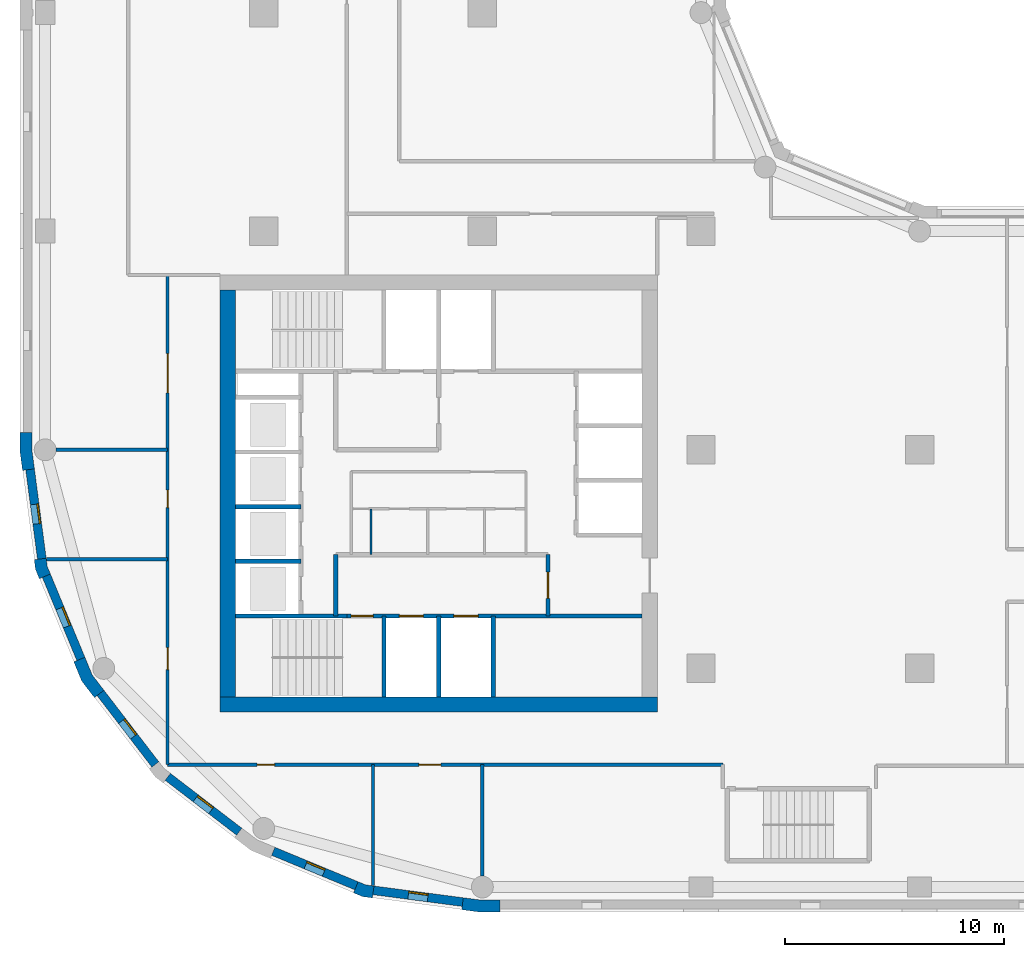
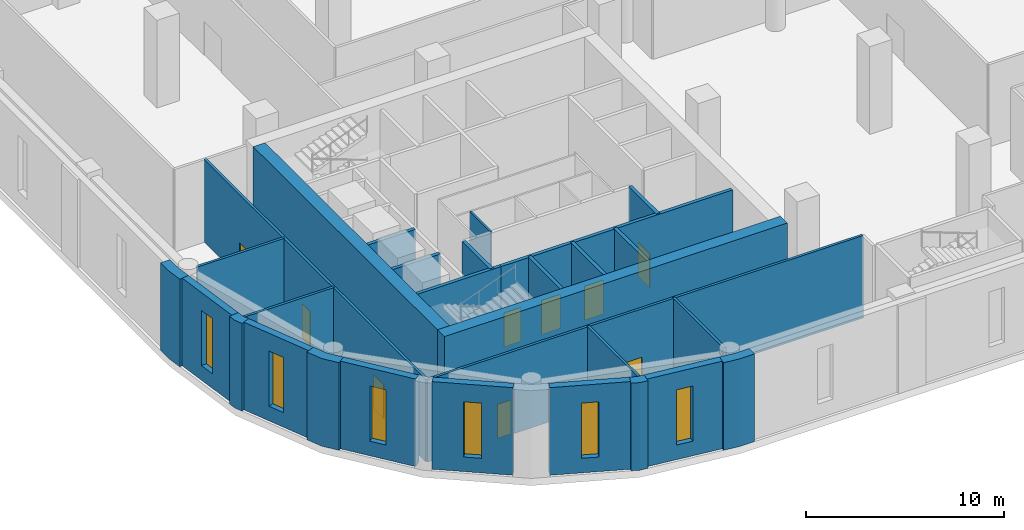
# One storey, part 2 of 9: 29 walls, 9 doors, 6 windows, 15 openings.
"""IFC4 building model written with IfcOpenShell, lengths in metres."""

from ifc_helpers import new_model, si_unit, direction, frame, frame_2d, origin, place, context, subcontext, project, spatial, polyline, rectangle, outline, extrude, material, layer, layer_set, type_object, element, fill, save


model = new_model("IFC4")

# Units and contexts
model_context = context("Model", 3, precision=1e-05, world=origin(), true_north=direction((0.0, 1.0)))
body_context = subcontext(model_context, "Body", "Model", "MODEL_VIEW")
ifc_project = project(units=[si_unit("LENGTHUNIT", "METRE"), si_unit("AREAUNIT", "SQUARE_METRE"), si_unit("VOLUMEUNIT", "CUBIC_METRE"), si_unit("PLANEANGLEUNIT", "RADIAN"), si_unit("MASSUNIT", "GRAM", prefix="KILO")], contexts=[model_context])

# Site, building, storey
site_placement = place(None, origin())
site = spatial("IfcSite", under=ifc_project, at=site_placement, CompositionType="ELEMENT")
building_placement = place(site_placement, origin())
building = spatial("IfcBuilding", under=site, at=building_placement, Name="Qaws Garden Tower", CompositionType="ELEMENT")
storey_placement = place(building_placement, frame((0.0, 0.0, 126.300048828125)))
storey = spatial("IfcBuildingStorey", under=building, at=storey_placement, Name="L30", CompositionType="ELEMENT", Elevation=126.300048828125)

# Wall, opening, window
ifc_material_1 = material(Name="Clay facing brick masonry", Category="masonry")
ifc_layer_1 = layer(ifc_material_1, 0.39990234375)
ifc_layer_set_1 = layer_set([ifc_layer_1], Name="Clay facing brick masonry")
wall_type_1 = type_object("IfcWallType", Name="Brick infill wall 400", PredefinedType="SOLIDWALL", material=ifc_layer_set_1)
wall_1_placement = place(storey_placement, frame((-0.688720703125, 19.102294921875, 0.0), z_axis=(0.0, 0.0, 1.0), x_axis=(0.130514280502, -0.991446429508, 0.0)))
wall_1 = element("IfcWall", 1, at=wall_1_placement, inside=storey, type_object=wall_type_1, Name="E-L30-infill-25", PredefinedType="SOLIDWALL", context=body_context, shape_type="SweptSolid", body=[
    extrude(rectangle(XDim=4.120849609375, YDim=0.39990234375, at=frame_2d((2.060546875, 0.0))), origin(), (0.0, 0.0, 1.0), 5.39990234375),
])
opening_1_placement = place(wall_1_placement, frame((1.610595703125, 0.0, 0.89990234375)))
opening_1 = element("IfcOpeningElement", 2, at=opening_1_placement, cuts=wall_1, Name="Opening W10", PredefinedType="OPENING", context=body_context, shape_type="SweptSolid", body=[
    extrude(rectangle(XDim=0.89990234375, YDim=3.39990234375, at=frame_2d((0.449951171875, 1.699951171875))), frame((0.0, 0.2099609375, 0.0), z_axis=(0.0, -1.0, 0.0), x_axis=(1.0, 0.0, 0.0)), (0.0, 0.0, 1.0), 0.419921875),
])
ifc_material_2 = material(Name="Aluminium framed window, clear glazing", Category="aluminium")
window_type = type_object("IfcWindowType", Name="Slit window 900 x 3400", PartitioningType="SINGLE_PANEL", PredefinedType="WINDOW", material=ifc_material_2)
window_1_placement = place(opening_1_placement, origin())
window_1 = element("IfcWindow", 3, at=window_1_placement, inside=storey, type_object=window_type, Name="E-L30-window-25-0", OverallHeight=3.39990234375, OverallWidth=0.89990234375, PartitioningType="SINGLE_PANEL", PredefinedType="WINDOW", context=body_context, shape_type="SweptSolid", body=[
    extrude(rectangle(XDim=0.89990234375, YDim=3.39990234375, at=frame_2d((0.449951171875, 1.699951171875))), frame((0.0, 0.159912109375, 0.0), z_axis=(0.0, -1.0, 0.0), x_axis=(1.0, 0.0, 0.0)), (0.0, 0.0, 1.0), 0.06005859375),
])
fill(opening_1, window_1)

wall_2_placement = place(storey_placement, frame((0.05712890625, 14.240234375, 0.0), z_axis=(0.0, 0.0, 1.0), x_axis=(0.382721546029, -0.923863744394, 0.0)))
wall_2 = element("IfcWall", 4, at=wall_2_placement, inside=storey, type_object=wall_type_1, Name="E-L30-infill-26", PredefinedType="SOLIDWALL", context=body_context, shape_type="SweptSolid", body=[
    extrude(rectangle(XDim=4.120849609375, YDim=0.39990234375, at=frame_2d((2.060546875, 0.0))), origin(), (0.0, 0.0, 1.0), 5.39990234375),
])
opening_2_placement = place(wall_2_placement, frame((1.610595703125, 0.0, 0.89990234375)))
opening_2 = element("IfcOpeningElement", 5, at=opening_2_placement, cuts=wall_2, Name="Opening W10", PredefinedType="OPENING", context=body_context, shape_type="SweptSolid", body=[
    extrude(rectangle(XDim=0.89990234375, YDim=3.39990234375, at=frame_2d((0.449951171875, 1.699951171875))), frame((0.0, 0.2099609375, 0.0), z_axis=(0.0, -1.0, 0.0), x_axis=(1.0, 0.0, 0.0)), (0.0, 0.0, 1.0), 0.419921875),
])
window_2_placement = place(opening_2_placement, origin())
window_2 = element("IfcWindow", 6, at=window_2_placement, inside=storey, type_object=window_type, Name="E-L30-window-26-0", OverallHeight=3.39990234375, OverallWidth=0.89990234375, PartitioningType="SINGLE_PANEL", PredefinedType="WINDOW", context=body_context, shape_type="SweptSolid", body=[
    extrude(rectangle(XDim=0.89990234375, YDim=3.39990234375, at=frame_2d((0.449951171875, 1.699951171875))), frame((0.0, 0.159912109375, 0.0), z_axis=(0.0, -1.0, 0.0), x_axis=(1.0, 0.0, 0.0)), (0.0, 0.0, 1.0), 0.06005859375),
])
fill(opening_2, window_2)

wall_3_placement = place(storey_placement, frame((2.53173828125, 8.87841796875, 0.0), z_axis=(0.0, 0.0, 1.0), x_axis=(0.608759824817, -0.793354571229, 0.0)))
wall_3 = element("IfcWall", 7, at=wall_3_placement, inside=storey, type_object=wall_type_1, Name="E-L30-infill-27", PredefinedType="SOLIDWALL", context=body_context, shape_type="SweptSolid", body=[
    extrude(rectangle(XDim=4.12109375, YDim=0.39990234375, at=frame_2d((2.060546875, 0.0))), origin(), (0.0, 0.0, 1.0), 5.39990234375),
])
opening_3_placement = place(wall_3_placement, frame((1.610595703125, 0.0, 0.89990234375)))
opening_3 = element("IfcOpeningElement", 8, at=opening_3_placement, cuts=wall_3, Name="Opening W10", PredefinedType="OPENING", context=body_context, shape_type="SweptSolid", body=[
    extrude(rectangle(XDim=0.89990234375, YDim=3.39990234375, at=frame_2d((0.449951171875, 1.699951171875))), frame((0.0, 0.2099609375, 0.0), z_axis=(0.0, -1.0, 0.0), x_axis=(1.0, 0.0, 0.0)), (0.0, 0.0, 1.0), 0.419921875),
])
window_3_placement = place(opening_3_placement, origin())
window_3 = element("IfcWindow", 9, at=window_3_placement, inside=storey, type_object=window_type, Name="E-L30-window-27-0", OverallHeight=3.39990234375, OverallWidth=0.89990234375, PartitioningType="SINGLE_PANEL", PredefinedType="WINDOW", context=body_context, shape_type="SweptSolid", body=[
    extrude(rectangle(XDim=0.89990234375, YDim=3.39990234375, at=frame_2d((0.449951171875, 1.699951171875))), frame((0.0, 0.159912109375, 0.0), z_axis=(0.0, -1.0, 0.0), x_axis=(1.0, 0.0, 0.0)), (0.0, 0.0, 1.0), 0.06005859375),
])
fill(opening_3, window_3)

wall_4_placement = place(storey_placement, frame((5.60888671875, 5.04052734375, 0.0), z_axis=(0.0, 0.0, 1.0), x_axis=(0.793354571229, -0.608759824817, 0.0)))
wall_4 = element("IfcWall", 10, at=wall_4_placement, inside=storey, type_object=wall_type_1, Name="E-L30-infill-28", PredefinedType="SOLIDWALL", context=body_context, shape_type="SweptSolid", body=[
    extrude(rectangle(XDim=4.12109375, YDim=0.39990234375, at=frame_2d((2.060546875, 0.0))), origin(), (0.0, 0.0, 1.0), 5.39990234375),
])
opening_4_placement = place(wall_4_placement, frame((1.610595703125, 0.0, 0.89990234375)))
opening_4 = element("IfcOpeningElement", 11, at=opening_4_placement, cuts=wall_4, Name="Opening W10", PredefinedType="OPENING", context=body_context, shape_type="SweptSolid", body=[
    extrude(rectangle(XDim=0.89990234375, YDim=3.39990234375, at=frame_2d((0.449951171875, 1.699951171875))), frame((0.0, 0.2099609375, 0.0), z_axis=(0.0, -1.0, 0.0), x_axis=(1.0, 0.0, 0.0)), (0.0, 0.0, 1.0), 0.419921875),
])
window_4_placement = place(opening_4_placement, origin())
window_4 = element("IfcWindow", 12, at=window_4_placement, inside=storey, type_object=window_type, Name="E-L30-window-28-0", OverallHeight=3.39990234375, OverallWidth=0.89990234375, PartitioningType="SINGLE_PANEL", PredefinedType="WINDOW", context=body_context, shape_type="SweptSolid", body=[
    extrude(rectangle(XDim=0.89990234375, YDim=3.39990234375, at=frame_2d((0.449951171875, 1.699951171875))), frame((0.0, 0.159912109375, 0.0), z_axis=(0.0, -1.0, 0.0), x_axis=(1.0, 0.0, 0.0)), (0.0, 0.0, 1.0), 0.06005859375),
])
fill(opening_4, window_4)

wall_5_placement = place(storey_placement, frame((10.43310546875, 1.63427734375, 0.0), z_axis=(0.0, 0.0, 1.0), x_axis=(0.923863744394, -0.382721546029, 0.0)))
wall_5 = element("IfcWall", 13, at=wall_5_placement, inside=storey, type_object=wall_type_1, Name="E-L30-infill-29", PredefinedType="SOLIDWALL", context=body_context, shape_type="SweptSolid", body=[
    extrude(rectangle(XDim=4.120849609375, YDim=0.39990234375, at=frame_2d((2.060546875, 0.0))), origin(), (0.0, 0.0, 1.0), 5.39990234375),
])
opening_5_placement = place(wall_5_placement, frame((1.610595703125, 0.0, 0.89990234375)))
opening_5 = element("IfcOpeningElement", 14, at=opening_5_placement, cuts=wall_5, Name="Opening W10", PredefinedType="OPENING", context=body_context, shape_type="SweptSolid", body=[
    extrude(rectangle(XDim=0.89990234375, YDim=3.39990234375, at=frame_2d((0.449951171875, 1.699951171875))), frame((0.0, 0.2099609375, 0.0), z_axis=(0.0, -1.0, 0.0), x_axis=(1.0, 0.0, 0.0)), (0.0, 0.0, 1.0), 0.419921875),
])
window_5_placement = place(opening_5_placement, origin())
window_5 = element("IfcWindow", 15, at=window_5_placement, inside=storey, type_object=window_type, Name="E-L30-window-29-0", OverallHeight=3.39990234375, OverallWidth=0.89990234375, PartitioningType="SINGLE_PANEL", PredefinedType="WINDOW", context=body_context, shape_type="SweptSolid", body=[
    extrude(rectangle(XDim=0.89990234375, YDim=3.39990234375, at=frame_2d((0.449951171875, 1.699951171875))), frame((0.0, 0.159912109375, 0.0), z_axis=(0.0, -1.0, 0.0), x_axis=(1.0, 0.0, 0.0)), (0.0, 0.0, 1.0), 0.06005859375),
])
fill(opening_5, window_5)

wall_6_placement = place(storey_placement, frame((15.0166015625, -0.15087890625, 0.0), z_axis=(0.0, 0.0, 1.0), x_axis=(0.991446429508, -0.130514280502, 0.0)))
wall_6 = element("IfcWall", 16, at=wall_6_placement, inside=storey, type_object=wall_type_1, Name="E-L30-infill-30", PredefinedType="SOLIDWALL", context=body_context, shape_type="SweptSolid", body=[
    extrude(rectangle(XDim=4.120849609375, YDim=0.39990234375, at=frame_2d((2.060546875, 0.0))), origin(), (0.0, 0.0, 1.0), 5.39990234375),
])
opening_6_placement = place(wall_6_placement, frame((1.610595703125, 0.0, 0.89990234375)))
opening_6 = element("IfcOpeningElement", 17, at=opening_6_placement, cuts=wall_6, Name="Opening W10", PredefinedType="OPENING", context=body_context, shape_type="SweptSolid", body=[
    extrude(rectangle(XDim=0.89990234375, YDim=3.39990234375, at=frame_2d((0.449951171875, 1.699951171875))), frame((0.0, 0.2099609375, 0.0), z_axis=(0.0, -1.0, 0.0), x_axis=(1.0, 0.0, 0.0)), (0.0, 0.0, 1.0), 0.419921875),
])
window_6_placement = place(opening_6_placement, origin())
window_6 = element("IfcWindow", 18, at=window_6_placement, inside=storey, type_object=window_type, Name="E-L30-window-30-0", OverallHeight=3.39990234375, OverallWidth=0.89990234375, PartitioningType="SINGLE_PANEL", PredefinedType="WINDOW", context=body_context, shape_type="SweptSolid", body=[
    extrude(rectangle(XDim=0.89990234375, YDim=3.39990234375, at=frame_2d((0.449951171875, 1.699951171875))), frame((0.0, 0.159912109375, 0.0), z_axis=(0.0, -1.0, 0.0), x_axis=(1.0, 0.0, 0.0)), (0.0, 0.0, 1.0), 0.06005859375),
])
fill(opening_6, window_6)

# Walls
ifc_material_3 = material(Name="Clay facing brick masonry", Category="masonry")
ifc_layer_2 = layer(ifc_material_3, 0.550048828125)
ifc_layer_set_2 = layer_set([ifc_layer_2], Name="Clay facing brick masonry")
wall_type_2 = type_object("IfcWallType", Name="Brick kink pier 550 x 600", PredefinedType="SOLIDWALL", material=ifc_layer_set_2)
placement = place(storey_placement, origin())
element("IfcWall", 19, at=placement, inside=storey, type_object=wall_type_2, Name="E-L30-pier-26", PredefinedType="SOLIDWALL", context=body_context, shape_type="SweptSolid", body=[
    extrude(outline(polyline([(-0.34912109375, 14.990478515625), (-0.497802734375, 14.970947265625), (-0.43896484375, 14.5234375), (-0.26611328125, 14.1064453125), (-0.127685546875, 14.163818359375), (0.241943359375, 14.31689453125), (0.096923828125, 14.6669921875), (0.04736328125, 15.042724609375), (-0.34912109375, 14.990478515625)])), origin(), (0.0, 0.0, 1.0), 5.39990234375),
])
element("IfcWall", 20, at=placement, inside=storey, type_object=wall_type_2, Name="E-L30-pier-30", PredefinedType="SOLIDWALL", context=body_context, shape_type="SweptSolid", body=[
    extrude(outline(polyline([(14.163818359375, -0.127685546875), (14.1064453125, -0.26611328125), (14.5234375, -0.43896484375), (14.970947265625, -0.497802734375), (14.990478515625, -0.34912109375), (15.042724609375, 0.04736328125), (14.6669921875, 0.096923828125), (14.31689453125, 0.241943359375), (14.163818359375, -0.127685546875)])), origin(), (0.0, 0.0, 1.0), 5.39990234375),
])
ifc_material_4 = material(Name="Clay facing brick masonry", Category="masonry")
ifc_layer_3 = layer(ifc_material_4, 0.550048828125)
ifc_layer_set_3 = layer_set([ifc_layer_3], Name="Clay facing brick masonry")
wall_type_3 = type_object("IfcWallType", Name="Brick pier 550 x 1600", PredefinedType="SOLIDWALL", material=ifc_layer_set_3)
element("IfcWall", 21, at=placement, inside=storey, type_object=wall_type_3, Name="E-L30-pier-00", PredefinedType="SOLIDWALL", context=body_context, shape_type="SweptSolid", body=[
    extrude(outline(polyline([(19.076416015625, -0.886962890625), (19.056640625, -1.03564453125), (19.924560546875, -1.14990234375), (20.800048828125, -1.14990234375), (20.800048828125, -1.0), (20.800048828125, -0.60009765625), (19.960693359375, -0.60009765625), (19.12841796875, -0.490478515625), (19.076416015625, -0.886962890625)])), origin(), (0.0, 0.0, 1.0), 5.39990234375),
])
element("IfcWall", 22, at=placement, inside=storey, type_object=wall_type_3, Name="E-L30-pier-25", PredefinedType="SOLIDWALL", context=body_context, shape_type="SweptSolid", body=[
    extrude(outline(polyline([(-1.0, 20.800048828125), (-1.14990234375, 20.800048828125), (-1.14990234375, 19.924560546875), (-1.03564453125, 19.056640625), (-0.886962890625, 19.076416015625), (-0.490478515625, 19.12841796875), (-0.60009765625, 19.960693359375), (-0.60009765625, 20.800048828125), (-1.0, 20.800048828125)])), origin(), (0.0, 0.0, 1.0), 5.39990234375),
])
element("IfcWall", 23, at=placement, inside=storey, type_object=wall_type_3, Name="E-L30-pier-27", PredefinedType="SOLIDWALL", context=body_context, shape_type="SweptSolid", body=[
    extrude(outline(polyline([(1.449462890625, 10.3564453125), (1.310791015625, 10.299072265625), (1.675048828125, 9.419921875), (2.254150390625, 8.665283203125), (2.373046875, 8.756591796875), (2.6904296875, 9.0), (2.1552734375, 9.697509765625), (1.819091796875, 10.509521484375), (1.449462890625, 10.3564453125)])), origin(), (0.0, 0.0, 1.0), 5.39990234375),
])
ifc_material_5 = material(Name="Plasterboard")
ifc_layer_4 = layer(ifc_material_5, 0.10009765625)
ifc_layer_set_4 = layer_set([ifc_layer_4], Name="Plasterboard")
wall_type_4 = type_object("IfcWallType", Name="Core partition 100", PredefinedType="PARTITIONING", material=ifc_layer_set_4)
wall_12_placement = place(storey_placement, frame((14.89990234375, 15.199951171875, 0.0), z_axis=(0.0, 0.0, 1.0), x_axis=(0.0, 1.0, 0.0)))
element("IfcWall", 24, at=wall_12_placement, inside=storey, type_object=wall_type_4, Name="Core partition", PredefinedType="PARTITIONING", context=body_context, shape_type="SweptSolid", body=[
    extrude(rectangle(XDim=2.10009765625, YDim=0.10009765625, at=frame_2d((1.050048828125, 0.0))), origin(), (0.0, 0.0, 1.0), 5.079833984375),
])
ifc_material_6 = material(Name="Concrete C70", Category="concrete")
ifc_layer_5 = layer(ifc_material_6, 0.199951171875)
ifc_layer_set_5 = layer_set([ifc_layer_5], Name="Concrete C70")
wall_type_5 = type_object("IfcWallType", Name="Core shaft wall 200 C70", PredefinedType="SHEAR", material=ifc_layer_set_5)
wall_13_placement = place(storey_placement, frame((8.699951171875, 12.39990234375, 0.0), z_axis=(0.0, 0.0, 1.0), x_axis=(1.0, 0.0, 0.0)))
element("IfcWall", 25, at=wall_13_placement, inside=storey, type_object=wall_type_5, Name="Shaft wall", PredefinedType="SHEAR", context=body_context, shape_type="SweptSolid", body=[
    extrude(rectangle(XDim=5.10009765625, YDim=0.199951171875, at=frame_2d((2.550048828125, 0.0))), origin(), (0.0, 0.0, 1.0), 5.079833984375),
])

# Wall, openings, doors
wall_14_placement = place(storey_placement, frame((13.800048828125, 12.39990234375, 0.0), z_axis=(0.0, 0.0, 1.0), x_axis=(1.0, 0.0, 0.0)))
wall_14 = element("IfcWall", 26, at=wall_14_placement, inside=storey, type_object=wall_type_5, Name="Shaft wall", PredefinedType="SHEAR", context=body_context, shape_type="SweptSolid", body=[
    extrude(rectangle(XDim=13.5, YDim=0.199951171875, at=frame_2d((6.75, 0.0))), origin(), (0.0, 0.0, 1.0), 5.079833984375),
])
opening_7_placement = place(wall_14_placement, frame((2.39990234375, 0.0, 0.0)))
opening_7 = element("IfcOpeningElement", 27, at=opening_7_placement, cuts=wall_14, Name="Opening LD08", PredefinedType="OPENING", context=body_context, shape_type="SweptSolid", body=[
    extrude(rectangle(XDim=1.10009765625, YDim=2.10009765625, at=frame_2d((0.550048828125, 1.050048828125))), frame((0.0, 0.10986328125, 0.0), z_axis=(0.0, -1.0, 0.0), x_axis=(1.0, 0.0, 0.0)), (0.0, 0.0, 1.0), 0.219970703125),
])
opening_8_placement = place(wall_14_placement, frame((4.89990234375, 0.0, 0.0)))
opening_8 = element("IfcOpeningElement", 28, at=opening_8_placement, cuts=wall_14, Name="Opening LD09", PredefinedType="OPENING", context=body_context, shape_type="SweptSolid", body=[
    extrude(rectangle(XDim=1.10009765625, YDim=2.10009765625, at=frame_2d((0.550048828125, 1.050048828125))), frame((0.0, 0.10986328125, 0.0), z_axis=(0.0, -1.0, 0.0), x_axis=(1.0, 0.0, 0.0)), (0.0, 0.0, 1.0), 0.219970703125),
])
opening_9_placement = place(wall_14_placement, frame((0.199951171875, 0.0, 0.0)))
opening_9 = element("IfcOpeningElement", 29, at=opening_9_placement, cuts=wall_14, Name="Opening SD12", PredefinedType="OPENING", context=body_context, shape_type="SweptSolid", body=[
    extrude(rectangle(XDim=1.0, YDim=2.10009765625, at=frame_2d((0.5, 1.050048828125))), frame((0.0, 0.10986328125, 0.0), z_axis=(0.0, -1.0, 0.0), x_axis=(1.0, 0.0, 0.0)), (0.0, 0.0, 1.0), 0.219970703125),
])
ifc_material_7 = material(Name="Steel S235", Category="steel")
door_type_1 = type_object("IfcDoorType", Name="Landing door 1100x2100", OperationType="DOUBLE_DOOR_SLIDING", PredefinedType="DOOR", material=ifc_material_7)
door_1_placement = place(opening_7_placement, origin())
door_1 = element("IfcDoor", 30, at=door_1_placement, inside=storey, type_object=door_type_1, Name="Lift FF1 landing door", OperationType="DOUBLE_DOOR_SLIDING", OverallHeight=2.10009765625, OverallWidth=1.10009765625, PredefinedType="DOOR", context=body_context, shape_type="SweptSolid", body=[
    extrude(rectangle(XDim=1.10009765625, YDim=2.10009765625, at=frame_2d((0.550048828125, 1.050048828125))), frame((0.0, 0.02490234375, 0.0), z_axis=(0.0, -1.0, 0.0), x_axis=(1.0, 0.0, 0.0)), (0.0, 0.0, 1.0), 0.050048828125),
])
fill(opening_7, door_1)
door_2_placement = place(opening_8_placement, origin())
door_2 = element("IfcDoor", 31, at=door_2_placement, inside=storey, type_object=door_type_1, Name="Lift FF2 landing door", OperationType="DOUBLE_DOOR_SLIDING", OverallHeight=2.10009765625, OverallWidth=1.10009765625, PredefinedType="DOOR", context=body_context, shape_type="SweptSolid", body=[
    extrude(rectangle(XDim=1.10009765625, YDim=2.10009765625, at=frame_2d((0.550048828125, 1.050048828125))), frame((0.0, 0.02490234375, 0.0), z_axis=(0.0, -1.0, 0.0), x_axis=(1.0, 0.0, 0.0)), (0.0, 0.0, 1.0), 0.050048828125),
])
fill(opening_8, door_2)
ifc_material_8 = material(Name="Steel S235", Category="steel")
door_type_2 = type_object("IfcDoorType", Name="Stair door 1000x2100", OperationType="SINGLE_SWING_RIGHT", PredefinedType="DOOR", material=ifc_material_8)
door_3_placement = place(opening_9_placement, frame((1.0, 0.0, 0.0), z_axis=(0.0, 0.0, 1.0), x_axis=(-1.0, 0.0, 0.0)))
door_3 = element("IfcDoor", 32, at=door_3_placement, inside=storey, type_object=door_type_2, Name="Stair 1 door", OperationType="SINGLE_SWING_LEFT", OverallHeight=2.10009765625, OverallWidth=1.0, PredefinedType="DOOR", context=body_context, shape_type="SweptSolid", body=[
    extrude(rectangle(XDim=1.0, YDim=2.10009765625, at=frame_2d((0.5, 1.050048828125))), frame((0.0, 0.02490234375, 0.0), z_axis=(0.0, -1.0, 0.0), x_axis=(1.0, 0.0, 0.0)), (0.0, 0.0, 1.0), 0.050048828125),
])
fill(opening_9, door_3)

# Walls
for number, where, z_axis, x_axis, name in (
    (33, (8.699951171875, 14.89990234375, 0.0), (0.0, 0.0, 1.0), (1.0, 0.0, 0.0), "Shaft wall"),
    (34, (8.699951171875, 17.39990234375, 0.0), (0.0, 0.0, 1.0), (1.0, 0.0, 0.0), "Shaft wall"),
):
    element("IfcWall", number, at=place(storey_placement, frame(where, z_axis=z_axis, x_axis=x_axis)), inside=storey, type_object=wall_type_5, Name=name, PredefinedType="SHEAR", context=body_context, shape_type="SweptSolid", body=[
        extrude(rectangle(XDim=3.0, YDim=0.199951171875, at=frame_2d((1.5, 0.0))), origin(), (0.0, 0.0, 1.0), 5.079833984375),
    ])
wall_15_placement = place(storey_placement, frame((13.300048828125, 12.39990234375, 0.0), z_axis=(0.0, 0.0, 1.0), x_axis=(0.0, 1.0, 0.0)))
element("IfcWall", 35, at=wall_15_placement, inside=storey, type_object=wall_type_5, Name="Shaft wall", PredefinedType="SHEAR", context=body_context, shape_type="SweptSolid", body=[
    extrude(rectangle(XDim=2.800048828125, YDim=0.199951171875, at=frame_2d((1.39990234375, 0.0))), origin(), (0.0, 0.0, 1.0), 5.079833984375),
])
for number, where, z_axis, x_axis, name in (
    (36, (15.5, 8.699951171875, 0.0), (0.0, 0.0, 1.0), (0.0, 1.0, 0.0), "Shaft wall"),
    (37, (18.0, 8.699951171875, 0.0), (0.0, 0.0, 1.0), (0.0, 1.0, 0.0), "Shaft wall"),
    (38, (20.5, 8.699951171875, 0.0), (0.0, 0.0, 1.0), (0.0, 1.0, 0.0), "Shaft wall"),
):
    element("IfcWall", number, at=place(storey_placement, frame(where, z_axis=z_axis, x_axis=x_axis)), inside=storey, type_object=wall_type_5, Name=name, PredefinedType="SHEAR", context=body_context, shape_type="SweptSolid", body=[
        extrude(rectangle(XDim=3.699951171875, YDim=0.199951171875, at=frame_2d((1.85009765625, 0.0))), origin(), (0.0, 0.0, 1.0), 5.079833984375),
    ])

# Wall, opening, door
wall_16_placement = place(storey_placement, frame((23.0, 12.39990234375, 0.0), z_axis=(0.0, 0.0, 1.0), x_axis=(0.0, 1.0, 0.0)))
wall_16 = element("IfcWall", 39, at=wall_16_placement, inside=storey, type_object=wall_type_5, Name="Shaft wall", PredefinedType="SHEAR", context=body_context, shape_type="SweptSolid", body=[
    extrude(rectangle(XDim=2.800048828125, YDim=0.199951171875, at=frame_2d((1.39990234375, 0.0))), origin(), (0.0, 0.0, 1.0), 5.079833984375),
])
opening_10_placement = place(wall_16_placement, frame((0.800048828125, 0.0, 0.0)))
opening_10 = element("IfcOpeningElement", 40, at=opening_10_placement, cuts=wall_16, Name="Opening FD17", PredefinedType="OPENING", context=body_context, shape_type="SweptSolid", body=[
    extrude(rectangle(XDim=1.199951171875, YDim=2.10009765625, at=frame_2d((0.60009765625, 1.050048828125))), frame((0.0, 0.10986328125, 0.0), z_axis=(0.0, -1.0, 0.0), x_axis=(1.0, 0.0, 0.0)), (0.0, 0.0, 1.0), 0.219970703125),
])
ifc_material_9 = material(Name="Steel S235", Category="steel")
door_type_3 = type_object("IfcDoorType", Name="Lobby door 1200x2100", OperationType="DOUBLE_DOOR_SINGLE_SWING", PredefinedType="DOOR", material=ifc_material_9)
door_4_placement = place(opening_10_placement, origin())
door_4 = element("IfcDoor", 41, at=door_4_placement, inside=storey, type_object=door_type_3, Name="Fire-fighting lobby door", OperationType="DOUBLE_DOOR_SINGLE_SWING", OverallHeight=2.10009765625, OverallWidth=1.199951171875, PredefinedType="DOOR", context=body_context, shape_type="SweptSolid", body=[
    extrude(rectangle(XDim=1.199951171875, YDim=2.10009765625, at=frame_2d((0.60009765625, 1.050048828125))), frame((0.0, 0.02490234375, 0.0), z_axis=(0.0, -1.0, 0.0), x_axis=(1.0, 0.0, 0.0)), (0.0, 0.0, 1.0), 0.050048828125),
])
fill(opening_10, door_4)

# Walls
ifc_material_10 = material(Name="Concrete C70", Category="concrete")
ifc_layer_6 = layer(ifc_material_10, 0.699951171875)
ifc_layer_set_6 = layer_set([ifc_layer_6], Name="Concrete C70")
wall_type_6 = type_object("IfcWallType", Name="Core wall 700 C70", PredefinedType="SHEAR", material=ifc_layer_set_6)
wall_17_placement = place(storey_placement, frame((8.0, 8.35009765625, 0.0), z_axis=(0.0, 0.0, 1.0), x_axis=(1.0, 0.0, 0.0)))
element("IfcWall", 42, at=wall_17_placement, inside=storey, type_object=wall_type_6, Name="Core wall L30 south", PredefinedType="SHEAR", context=body_context, shape_type="SweptSolid", body=[
    extrude(rectangle(XDim=20.0, YDim=0.699951171875, at=frame_2d((10.0, 0.0))), origin(), (0.0, 0.0, 1.0), 5.39990234375),
])
wall_18_placement = place(storey_placement, frame((8.35009765625, 27.300048828125, 0.0), z_axis=(0.0, 0.0, 1.0), x_axis=(0.0, -1.0, 0.0)))
element("IfcWall", 43, at=wall_18_placement, inside=storey, type_object=wall_type_6, Name="Core wall L30 west", PredefinedType="SHEAR", context=body_context, shape_type="SweptSolid", body=[
    extrude(rectangle(XDim=18.60009765625, YDim=0.699951171875, at=frame_2d((9.300048828125, 0.0))), origin(), (0.0, 0.0, 1.0), 5.39990234375),
])

# Wall, openings, doors
ifc_material_11 = material(Name="Gypsum board partition")
ifc_layer_7 = layer(ifc_material_11, 0.14990234375)
ifc_layer_set_7 = layer_set([ifc_layer_7], Name="Gypsum board partition")
wall_type_7 = type_object("IfcWallType", Name="PARTITION 150 EI 60", PredefinedType="PARTITIONING", material=ifc_layer_set_7)
wall_19_placement = place(storey_placement, frame((5.60009765625, 5.60009765625, 0.0), z_axis=(0.0, 0.0, 1.0), x_axis=(0.0, 1.0, 0.0)))
wall_19 = element("IfcWall", 44, at=wall_19_placement, inside=storey, type_object=wall_type_7, Name="O-L30-wall-004", PredefinedType="PARTITIONING", context=body_context, shape_type="SweptSolid", body=[
    extrude(rectangle(XDim=22.39990234375, YDim=0.14990234375, at=frame_2d((11.199951171875, 0.0))), origin(), (0.0, 0.0, 1.0), 5.079833984375),
])
opening_11_placement = place(wall_19_placement, frame((4.35009765625, 0.0, 0.0)))
opening_11 = element("IfcOpeningElement", 45, at=opening_11_placement, cuts=wall_19, Name="Opening S101", PredefinedType="OPENING", context=body_context, shape_type="SweptSolid", body=[
    extrude(rectangle(XDim=1.0, YDim=2.10009765625, at=frame_2d((0.5, 1.050048828125))), frame((0.0, 0.0849609375, 0.0), z_axis=(0.0, -1.0, 0.0), x_axis=(1.0, 0.0, 0.0)), (0.0, 0.0, 1.0), 0.169921875),
])
opening_12_placement = place(wall_19_placement, frame((11.75, 0.0, 0.0)))
opening_12 = element("IfcOpeningElement", 46, at=opening_12_placement, cuts=wall_19, Name="Opening S102", PredefinedType="OPENING", context=body_context, shape_type="SweptSolid", body=[
    extrude(rectangle(XDim=0.800048828125, YDim=2.10009765625, at=frame_2d((0.39990234375, 1.050048828125))), frame((0.0, 0.0849609375, 0.0), z_axis=(0.0, -1.0, 0.0), x_axis=(1.0, 0.0, 0.0)), (0.0, 0.0, 1.0), 0.169921875),
])
opening_13_placement = place(wall_19_placement, frame((17.0, 0.0, 0.0)))
opening_13 = element("IfcOpeningElement", 47, at=opening_13_placement, cuts=wall_19, Name="Opening S111", PredefinedType="OPENING", context=body_context, shape_type="SweptSolid", body=[
    extrude(rectangle(XDim=1.800048828125, YDim=2.10009765625, at=frame_2d((0.89990234375, 1.050048828125))), frame((0.0, 0.0849609375, 0.0), z_axis=(0.0, -1.0, 0.0), x_axis=(1.0, 0.0, 0.0)), (0.0, 0.0, 1.0), 0.169921875),
])
ifc_material_12 = material(Name="Timber door leaf", Category="wood")
door_type_4 = type_object("IfcDoorType", Name="DOUBLE DOOR 1800 X 2100", OperationType="DOUBLE_DOOR_SINGLE_SWING", PredefinedType="DOOR", material=ifc_material_12)
door_5_placement = place(opening_13_placement, origin())
door_5 = element("IfcDoor", 48, at=door_5_placement, inside=storey, type_object=door_type_4, Name="O-L30-door-011", OperationType="DOUBLE_DOOR_SINGLE_SWING", OverallHeight=2.10009765625, OverallWidth=1.800048828125, PredefinedType="DOOR", context=body_context, shape_type="SweptSolid", body=[
    extrude(rectangle(XDim=1.800048828125, YDim=2.10009765625, at=frame_2d((0.89990234375, 1.050048828125))), frame((0.0, 0.02490234375, 0.0), z_axis=(0.0, -1.0, 0.0), x_axis=(1.0, 0.0, 0.0)), (0.0, 0.0, 1.0), 0.050048828125),
])
fill(opening_13, door_5)
ifc_material_13 = material(Name="Timber door leaf", Category="wood")
door_type_5 = type_object("IfcDoorType", Name="STORE DOOR 800 X 2100", OperationType="SINGLE_SWING_LEFT", PredefinedType="DOOR", material=ifc_material_13)
door_6_placement = place(opening_12_placement, origin())
door_6 = element("IfcDoor", 49, at=door_6_placement, inside=storey, type_object=door_type_5, Name="O-L30-door-002", OperationType="SINGLE_SWING_RIGHT", OverallHeight=2.10009765625, OverallWidth=0.800048828125, PredefinedType="DOOR", context=body_context, shape_type="SweptSolid", body=[
    extrude(rectangle(XDim=0.800048828125, YDim=2.10009765625, at=frame_2d((0.39990234375, 1.050048828125))), frame((0.0, 0.02490234375, 0.0), z_axis=(0.0, -1.0, 0.0), x_axis=(1.0, 0.0, 0.0)), (0.0, 0.0, 1.0), 0.050048828125),
])
fill(opening_12, door_6)
ifc_material_14 = material(Name="Timber door leaf", Category="wood")
door_type_6 = type_object("IfcDoorType", Name="TENANCY ENTRANCE DOOR 1000 X 2100", OperationType="SINGLE_SWING_LEFT", PredefinedType="DOOR", material=ifc_material_14)
door_7_placement = place(opening_11_placement, origin())
door_7 = element("IfcDoor", 50, at=door_7_placement, inside=storey, type_object=door_type_6, Name="O-L30-door-001", OperationType="SINGLE_SWING_RIGHT", OverallHeight=2.10009765625, OverallWidth=1.0, PredefinedType="DOOR", context=body_context, shape_type="SweptSolid", body=[
    extrude(rectangle(XDim=1.0, YDim=2.10009765625, at=frame_2d((0.5, 1.050048828125))), frame((0.0, 0.02490234375, 0.0), z_axis=(0.0, -1.0, 0.0), x_axis=(1.0, 0.0, 0.0)), (0.0, 0.0, 1.0), 0.050048828125),
])
fill(opening_11, door_7)

# Walls
wall_20_placement = place(storey_placement, frame((15.0, 0.06298828125, 0.0), z_axis=(0.0, 0.0, 1.0), x_axis=(0.0, 1.0, 0.0)))
element("IfcWall", 51, at=wall_20_placement, inside=storey, type_object=wall_type_7, Name="O-L30-wall-007", PredefinedType="PARTITIONING", context=body_context, shape_type="SweptSolid", body=[
    extrude(rectangle(XDim=5.537109375, YDim=0.14990234375, at=frame_2d((2.7685546875, 0.0))), origin(), (0.0, 0.0, 1.0), 5.079833984375),
])
wall_21_placement = place(storey_placement, frame((20.0, 0.5, 0.0), z_axis=(0.0, 0.0, 1.0), x_axis=(0.0, 1.0, 0.0)))
element("IfcWall", 52, at=wall_21_placement, inside=storey, type_object=wall_type_7, Name="O-L30-wall-010", PredefinedType="PARTITIONING", context=body_context, shape_type="SweptSolid", body=[
    extrude(rectangle(XDim=5.10009765625, YDim=0.14990234375, at=frame_2d((2.550048828125, 0.0))), origin(), (0.0, 0.0, 1.0), 5.079833984375),
])

# Wall, openings, doors
wall_22_placement = place(storey_placement, frame((5.60009765625, 5.60009765625, 0.0), z_axis=(0.0, 0.0, 1.0), x_axis=(1.0, 0.0, 0.0)))
wall_22 = element("IfcWall", 53, at=wall_22_placement, inside=storey, type_object=wall_type_7, Name="O-L30-wall-021", PredefinedType="PARTITIONING", context=body_context, shape_type="SweptSolid", body=[
    extrude(rectangle(XDim=25.39990234375, YDim=0.14990234375, at=frame_2d((12.699951171875, 0.0))), origin(), (0.0, 0.0, 1.0), 5.079833984375),
])
opening_14_placement = place(wall_22_placement, frame((4.10009765625, 0.0, 0.0)))
opening_14 = element("IfcOpeningElement", 54, at=opening_14_placement, cuts=wall_22, Name="Opening S105", PredefinedType="OPENING", context=body_context, shape_type="SweptSolid", body=[
    extrude(rectangle(XDim=0.800048828125, YDim=2.10009765625, at=frame_2d((0.39990234375, 1.050048828125))), frame((0.0, 0.0849609375, 0.0), z_axis=(0.0, -1.0, 0.0), x_axis=(1.0, 0.0, 0.0)), (0.0, 0.0, 1.0), 0.169921875),
])
opening_15_placement = place(wall_22_placement, frame((11.5, 0.0, 0.0)))
opening_15 = element("IfcOpeningElement", 55, at=opening_15_placement, cuts=wall_22, Name="Opening S106", PredefinedType="OPENING", context=body_context, shape_type="SweptSolid", body=[
    extrude(rectangle(XDim=1.0, YDim=2.10009765625, at=frame_2d((0.5, 1.050048828125))), frame((0.0, 0.0849609375, 0.0), z_axis=(0.0, -1.0, 0.0), x_axis=(1.0, 0.0, 0.0)), (0.0, 0.0, 1.0), 0.169921875),
])
door_8_placement = place(opening_14_placement, frame((0.800048828125, 0.0, 0.0), z_axis=(0.0, 0.0, 1.0), x_axis=(-1.0, 0.0, 0.0)))
door_8 = element("IfcDoor", 56, at=door_8_placement, inside=storey, type_object=door_type_5, Name="O-L30-door-005", OperationType="SINGLE_SWING_LEFT", OverallHeight=2.10009765625, OverallWidth=0.800048828125, PredefinedType="DOOR", context=body_context, shape_type="SweptSolid", body=[
    extrude(rectangle(XDim=0.800048828125, YDim=2.10009765625, at=frame_2d((0.39990234375, 1.050048828125))), frame((0.0, 0.02490234375, 0.0), z_axis=(0.0, -1.0, 0.0), x_axis=(1.0, 0.0, 0.0)), (0.0, 0.0, 1.0), 0.050048828125),
])
fill(opening_14, door_8)
door_9_placement = place(opening_15_placement, frame((1.0, 0.0, 0.0), z_axis=(0.0, 0.0, 1.0), x_axis=(-1.0, 0.0, 0.0)))
door_9 = element("IfcDoor", 57, at=door_9_placement, inside=storey, type_object=door_type_6, Name="O-L30-door-006", OperationType="SINGLE_SWING_LEFT", OverallHeight=2.10009765625, OverallWidth=1.0, PredefinedType="DOOR", context=body_context, shape_type="SweptSolid", body=[
    extrude(rectangle(XDim=1.0, YDim=2.10009765625, at=frame_2d((0.5, 1.050048828125))), frame((0.0, 0.02490234375, 0.0), z_axis=(0.0, -1.0, 0.0), x_axis=(1.0, 0.0, 0.0)), (0.0, 0.0, 1.0), 0.050048828125),
])
fill(opening_15, door_9)

# Walls
wall_23_placement = place(storey_placement, frame((0.06298828125, 15.0, 0.0), z_axis=(0.0, 0.0, 1.0), x_axis=(1.0, 0.0, 0.0)))
element("IfcWall", 58, at=wall_23_placement, inside=storey, type_object=wall_type_7, Name="O-L30-wall-023", PredefinedType="PARTITIONING", context=body_context, shape_type="SweptSolid", body=[
    extrude(rectangle(XDim=5.537109375, YDim=0.14990234375, at=frame_2d((2.7685546875, 0.0))), origin(), (0.0, 0.0, 1.0), 5.079833984375),
])
wall_24_placement = place(storey_placement, frame((0.5, 20.0, 0.0), z_axis=(0.0, 0.0, 1.0), x_axis=(1.0, 0.0, 0.0)))
element("IfcWall", 59, at=wall_24_placement, inside=storey, type_object=wall_type_7, Name="O-L30-wall-025", PredefinedType="PARTITIONING", context=body_context, shape_type="SweptSolid", body=[
    extrude(rectangle(XDim=5.10009765625, YDim=0.14990234375, at=frame_2d((2.550048828125, 0.0))), origin(), (0.0, 0.0, 1.0), 5.079833984375),
])

save(model, "model.ifc")
